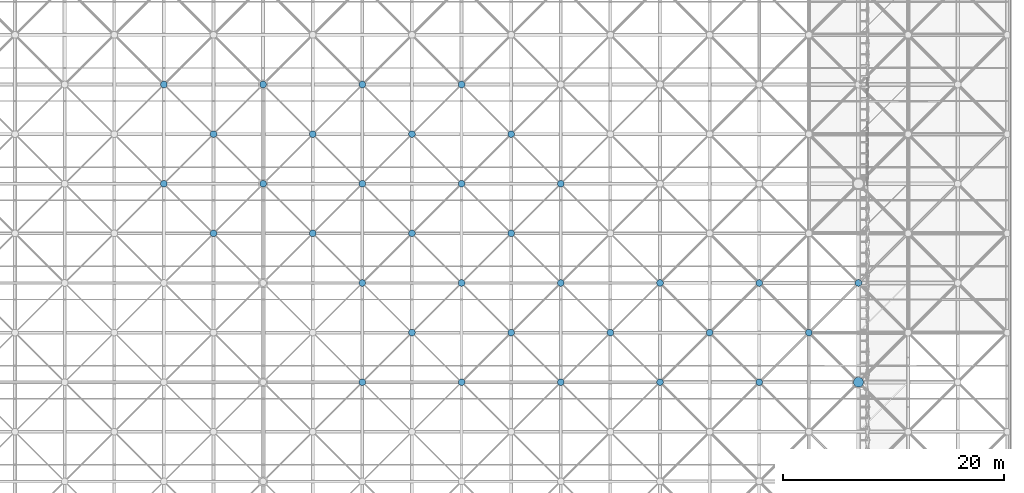
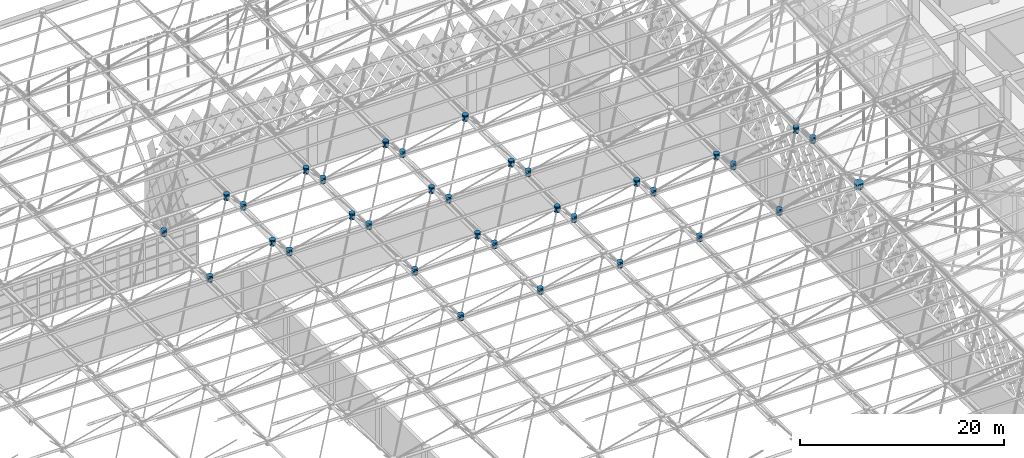
# One storey, part 313 of 437: 34 discrete accessories.
"""IFC4 building model written with IfcOpenShell, lengths in metres."""

from ifc_helpers import new_model, si_unit, direction, frame, origin, place, context, subcontext, project, spatial, polyline, outline, extrude, material, type_object, element, save


model = new_model("IFC4")

# Units and contexts
model_context = context("Model", 3, precision=1e-05, world=origin(), true_north=direction((0.0, 1.0)))
body_context = subcontext(model_context, "Body", "Model", "MODEL_VIEW")
ifc_project = project(units=[si_unit("LENGTHUNIT", "METRE"), si_unit("AREAUNIT", "SQUARE_METRE"), si_unit("VOLUMEUNIT", "CUBIC_METRE"), si_unit("PLANEANGLEUNIT", "RADIAN"), si_unit("MASSUNIT", "GRAM", prefix="KILO")], contexts=[model_context])

# Site, building, storey
site_placement = place(None, origin())
site = spatial("IfcSite", under=ifc_project, at=site_placement, CompositionType="ELEMENT")
building_placement = place(site_placement, origin())
building = spatial("IfcBuilding", under=site, at=building_placement, Name="Opaline Strait Convention Centre", CompositionType="ELEMENT")
storey_placement = place(building_placement, frame((0.0, 0.0, 11.5)))
storey = spatial("IfcBuildingStorey", under=building, at=storey_placement, Name="L02", CompositionType="ELEMENT", Elevation=11.5)

# Discrete accessories
ifc_material = material(Name="Cast steel ZG300-500H (300 MPa)", Category="steel")
discrete_accessory_type_1 = type_object("IfcDiscreteAccessoryType", Name="Space frame bearing node hub D900", PredefinedType="USERDEFINED", material=ifc_material)
discrete_accessory_1_placement = place(storey_placement, frame((0.0, 0.0, 12.139892578125)))
element("IfcDiscreteAccessory", 1, at=discrete_accessory_1_placement, inside=storey, type_object=discrete_accessory_type_1, Name="Bottom node 20/8", ObjectType="NODE HUB", PredefinedType="USERDEFINED", context=body_context, shape_type="SweptSolid", body=[
    extrude(outline(polyline([(261.449951171875, 108.089599609375), (261.381591796875, 108.2548828125), (261.2548828125, 108.381591796875), (261.089599609375, 108.449951171875), (260.910400390625, 108.449951171875), (260.7451171875, 108.381591796875), (260.618408203125, 108.2548828125), (260.550048828125, 108.089599609375), (260.550048828125, 107.910400390625), (260.618408203125, 107.7451171875), (260.7451171875, 107.618408203125), (260.910400390625, 107.550048828125), (261.089599609375, 107.550048828125), (261.2548828125, 107.618408203125), (261.381591796875, 107.7451171875), (261.449951171875, 107.910400390625), (261.449951171875, 108.089599609375)])), origin(), (0.0, 0.0, 1.0), 0.72021484375),
])
discrete_accessory_type_2 = type_object("IfcDiscreteAccessoryType", Name="Space frame node hub D600", PredefinedType="USERDEFINED", material=ifc_material)
discrete_accessory_2_placement = place(storey_placement, frame((0.0, 0.0, 17.611572265625)))
element("IfcDiscreteAccessory", 2, at=discrete_accessory_2_placement, inside=storey, type_object=discrete_accessory_type_2, Name="Top node 14/10", ObjectType="NODE HUB", PredefinedType="USERDEFINED", context=body_context, shape_type="SweptSolid", body=[
    extrude(outline(polyline([(202.800048828125, 121.559814453125), (202.75439453125, 121.669921875), (202.669921875, 121.75439453125), (202.559814453125, 121.800048828125), (202.440185546875, 121.800048828125), (202.330078125, 121.75439453125), (202.24560546875, 121.669921875), (202.199951171875, 121.559814453125), (202.199951171875, 121.440185546875), (202.24560546875, 121.330078125), (202.330078125, 121.24560546875), (202.440185546875, 121.199951171875), (202.559814453125, 121.199951171875), (202.669921875, 121.24560546875), (202.75439453125, 121.330078125), (202.800048828125, 121.440185546875), (202.800048828125, 121.559814453125)])), origin(), (0.0, 0.0, 1.0), 0.719970703125),
])
discrete_accessory_3_placement = place(storey_placement, frame((0.0, 0.0, 17.611572265625)))
element("IfcDiscreteAccessory", 3, at=discrete_accessory_3_placement, inside=storey, type_object=discrete_accessory_type_2, Name="Top node 14/11", ObjectType="NODE HUB", PredefinedType="USERDEFINED", context=body_context, shape_type="SweptSolid", body=[
    extrude(outline(polyline([(202.800048828125, 130.559814453125), (202.75439453125, 130.669921875), (202.669921875, 130.75439453125), (202.559814453125, 130.800048828125), (202.440185546875, 130.800048828125), (202.330078125, 130.75439453125), (202.24560546875, 130.669921875), (202.199951171875, 130.559814453125), (202.199951171875, 130.440185546875), (202.24560546875, 130.330078125), (202.330078125, 130.24560546875), (202.440185546875, 130.199951171875), (202.559814453125, 130.199951171875), (202.669921875, 130.24560546875), (202.75439453125, 130.330078125), (202.800048828125, 130.440185546875), (202.800048828125, 130.559814453125)])), origin(), (0.0, 0.0, 1.0), 0.719970703125),
])
discrete_accessory_4_placement = place(storey_placement, frame((0.0, 0.0, 17.611572265625)))
element("IfcDiscreteAccessory", 4, at=discrete_accessory_4_placement, inside=storey, type_object=discrete_accessory_type_2, Name="Top node 15/10", ObjectType="NODE HUB", PredefinedType="USERDEFINED", context=body_context, shape_type="SweptSolid", body=[
    extrude(outline(polyline([(211.800048828125, 121.559814453125), (211.75439453125, 121.669921875), (211.669921875, 121.75439453125), (211.559814453125, 121.800048828125), (211.440185546875, 121.800048828125), (211.330078125, 121.75439453125), (211.24560546875, 121.669921875), (211.199951171875, 121.559814453125), (211.199951171875, 121.440185546875), (211.24560546875, 121.330078125), (211.330078125, 121.24560546875), (211.440185546875, 121.199951171875), (211.559814453125, 121.199951171875), (211.669921875, 121.24560546875), (211.75439453125, 121.330078125), (211.800048828125, 121.440185546875), (211.800048828125, 121.559814453125)])), origin(), (0.0, 0.0, 1.0), 0.719970703125),
])
discrete_accessory_5_placement = place(storey_placement, frame((0.0, 0.0, 17.611572265625)))
element("IfcDiscreteAccessory", 5, at=discrete_accessory_5_placement, inside=storey, type_object=discrete_accessory_type_2, Name="Top node 15/11", ObjectType="NODE HUB", PredefinedType="USERDEFINED", context=body_context, shape_type="SweptSolid", body=[
    extrude(outline(polyline([(211.800048828125, 130.559814453125), (211.75439453125, 130.669921875), (211.669921875, 130.75439453125), (211.559814453125, 130.800048828125), (211.440185546875, 130.800048828125), (211.330078125, 130.75439453125), (211.24560546875, 130.669921875), (211.199951171875, 130.559814453125), (211.199951171875, 130.440185546875), (211.24560546875, 130.330078125), (211.330078125, 130.24560546875), (211.440185546875, 130.199951171875), (211.559814453125, 130.199951171875), (211.669921875, 130.24560546875), (211.75439453125, 130.330078125), (211.800048828125, 130.440185546875), (211.800048828125, 130.559814453125)])), origin(), (0.0, 0.0, 1.0), 0.719970703125),
])
discrete_accessory_6_placement = place(storey_placement, frame((0.0, 0.0, 17.611572265625)))
element("IfcDiscreteAccessory", 6, at=discrete_accessory_6_placement, inside=storey, type_object=discrete_accessory_type_2, Name="Top node 16/9", ObjectType="NODE HUB", PredefinedType="USERDEFINED", context=body_context, shape_type="SweptSolid", body=[
    extrude(outline(polyline([(220.800048828125, 112.559814453125), (220.75439453125, 112.669921875), (220.669921875, 112.75439453125), (220.559814453125, 112.800048828125), (220.440185546875, 112.800048828125), (220.330078125, 112.75439453125), (220.24560546875, 112.669921875), (220.199951171875, 112.559814453125), (220.199951171875, 112.440185546875), (220.24560546875, 112.330078125), (220.330078125, 112.24560546875), (220.440185546875, 112.199951171875), (220.559814453125, 112.199951171875), (220.669921875, 112.24560546875), (220.75439453125, 112.330078125), (220.800048828125, 112.440185546875), (220.800048828125, 112.559814453125)])), origin(), (0.0, 0.0, 1.0), 0.719970703125),
])
discrete_accessory_7_placement = place(storey_placement, frame((0.0, 0.0, 17.611572265625)))
element("IfcDiscreteAccessory", 7, at=discrete_accessory_7_placement, inside=storey, type_object=discrete_accessory_type_2, Name="Top node 16/10", ObjectType="NODE HUB", PredefinedType="USERDEFINED", context=body_context, shape_type="SweptSolid", body=[
    extrude(outline(polyline([(220.800048828125, 121.559814453125), (220.75439453125, 121.669921875), (220.669921875, 121.75439453125), (220.559814453125, 121.800048828125), (220.440185546875, 121.800048828125), (220.330078125, 121.75439453125), (220.24560546875, 121.669921875), (220.199951171875, 121.559814453125), (220.199951171875, 121.440185546875), (220.24560546875, 121.330078125), (220.330078125, 121.24560546875), (220.440185546875, 121.199951171875), (220.559814453125, 121.199951171875), (220.669921875, 121.24560546875), (220.75439453125, 121.330078125), (220.800048828125, 121.440185546875), (220.800048828125, 121.559814453125)])), origin(), (0.0, 0.0, 1.0), 0.719970703125),
])
discrete_accessory_8_placement = place(storey_placement, frame((0.0, 0.0, 17.611572265625)))
element("IfcDiscreteAccessory", 8, at=discrete_accessory_8_placement, inside=storey, type_object=discrete_accessory_type_2, Name="Top node 16/11", ObjectType="NODE HUB", PredefinedType="USERDEFINED", context=body_context, shape_type="SweptSolid", body=[
    extrude(outline(polyline([(220.800048828125, 130.559814453125), (220.75439453125, 130.669921875), (220.669921875, 130.75439453125), (220.559814453125, 130.800048828125), (220.440185546875, 130.800048828125), (220.330078125, 130.75439453125), (220.24560546875, 130.669921875), (220.199951171875, 130.559814453125), (220.199951171875, 130.440185546875), (220.24560546875, 130.330078125), (220.330078125, 130.24560546875), (220.440185546875, 130.199951171875), (220.559814453125, 130.199951171875), (220.669921875, 130.24560546875), (220.75439453125, 130.330078125), (220.800048828125, 130.440185546875), (220.800048828125, 130.559814453125)])), origin(), (0.0, 0.0, 1.0), 0.719970703125),
])
discrete_accessory_9_placement = place(storey_placement, frame((0.0, 0.0, 17.611572265625)))
element("IfcDiscreteAccessory", 9, at=discrete_accessory_9_placement, inside=storey, type_object=discrete_accessory_type_2, Name="Top node 17/9", ObjectType="NODE HUB", PredefinedType="USERDEFINED", context=body_context, shape_type="SweptSolid", body=[
    extrude(outline(polyline([(229.800048828125, 112.559814453125), (229.75439453125, 112.669921875), (229.669921875, 112.75439453125), (229.559814453125, 112.800048828125), (229.440185546875, 112.800048828125), (229.330078125, 112.75439453125), (229.24560546875, 112.669921875), (229.199951171875, 112.559814453125), (229.199951171875, 112.440185546875), (229.24560546875, 112.330078125), (229.330078125, 112.24560546875), (229.440185546875, 112.199951171875), (229.559814453125, 112.199951171875), (229.669921875, 112.24560546875), (229.75439453125, 112.330078125), (229.800048828125, 112.440185546875), (229.800048828125, 112.559814453125)])), origin(), (0.0, 0.0, 1.0), 0.719970703125),
])
discrete_accessory_10_placement = place(storey_placement, frame((0.0, 0.0, 17.611572265625)))
element("IfcDiscreteAccessory", 10, at=discrete_accessory_10_placement, inside=storey, type_object=discrete_accessory_type_2, Name="Top node 17/10", ObjectType="NODE HUB", PredefinedType="USERDEFINED", context=body_context, shape_type="SweptSolid", body=[
    extrude(outline(polyline([(229.800048828125, 121.559814453125), (229.75439453125, 121.669921875), (229.669921875, 121.75439453125), (229.559814453125, 121.800048828125), (229.440185546875, 121.800048828125), (229.330078125, 121.75439453125), (229.24560546875, 121.669921875), (229.199951171875, 121.559814453125), (229.199951171875, 121.440185546875), (229.24560546875, 121.330078125), (229.330078125, 121.24560546875), (229.440185546875, 121.199951171875), (229.559814453125, 121.199951171875), (229.669921875, 121.24560546875), (229.75439453125, 121.330078125), (229.800048828125, 121.440185546875), (229.800048828125, 121.559814453125)])), origin(), (0.0, 0.0, 1.0), 0.719970703125),
])
discrete_accessory_11_placement = place(storey_placement, frame((0.0, 0.0, 17.611572265625)))
element("IfcDiscreteAccessory", 11, at=discrete_accessory_11_placement, inside=storey, type_object=discrete_accessory_type_2, Name="Top node 17/11", ObjectType="NODE HUB", PredefinedType="USERDEFINED", context=body_context, shape_type="SweptSolid", body=[
    extrude(outline(polyline([(229.800048828125, 130.559814453125), (229.75439453125, 130.669921875), (229.669921875, 130.75439453125), (229.559814453125, 130.800048828125), (229.440185546875, 130.800048828125), (229.330078125, 130.75439453125), (229.24560546875, 130.669921875), (229.199951171875, 130.559814453125), (229.199951171875, 130.440185546875), (229.24560546875, 130.330078125), (229.330078125, 130.24560546875), (229.440185546875, 130.199951171875), (229.559814453125, 130.199951171875), (229.669921875, 130.24560546875), (229.75439453125, 130.330078125), (229.800048828125, 130.440185546875), (229.800048828125, 130.559814453125)])), origin(), (0.0, 0.0, 1.0), 0.719970703125),
])
discrete_accessory_12_placement = place(storey_placement, frame((0.0, 0.0, 17.611572265625)))
element("IfcDiscreteAccessory", 12, at=discrete_accessory_12_placement, inside=storey, type_object=discrete_accessory_type_2, Name="Top node 18/9", ObjectType="NODE HUB", PredefinedType="USERDEFINED", context=body_context, shape_type="SweptSolid", body=[
    extrude(outline(polyline([(238.800048828125, 112.559814453125), (238.75439453125, 112.669921875), (238.669921875, 112.75439453125), (238.559814453125, 112.800048828125), (238.440185546875, 112.800048828125), (238.330078125, 112.75439453125), (238.24560546875, 112.669921875), (238.199951171875, 112.559814453125), (238.199951171875, 112.440185546875), (238.24560546875, 112.330078125), (238.330078125, 112.24560546875), (238.440185546875, 112.199951171875), (238.559814453125, 112.199951171875), (238.669921875, 112.24560546875), (238.75439453125, 112.330078125), (238.800048828125, 112.440185546875), (238.800048828125, 112.559814453125)])), origin(), (0.0, 0.0, 1.0), 0.719970703125),
])
discrete_accessory_13_placement = place(storey_placement, frame((0.0, 0.0, 17.611572265625)))
element("IfcDiscreteAccessory", 13, at=discrete_accessory_13_placement, inside=storey, type_object=discrete_accessory_type_2, Name="Top node 19/9", ObjectType="NODE HUB", PredefinedType="USERDEFINED", context=body_context, shape_type="SweptSolid", body=[
    extrude(outline(polyline([(247.800048828125, 112.559814453125), (247.75439453125, 112.669921875), (247.669921875, 112.75439453125), (247.559814453125, 112.800048828125), (247.440185546875, 112.800048828125), (247.330078125, 112.75439453125), (247.24560546875, 112.669921875), (247.199951171875, 112.559814453125), (247.199951171875, 112.440185546875), (247.24560546875, 112.330078125), (247.330078125, 112.24560546875), (247.440185546875, 112.199951171875), (247.559814453125, 112.199951171875), (247.669921875, 112.24560546875), (247.75439453125, 112.330078125), (247.800048828125, 112.440185546875), (247.800048828125, 112.559814453125)])), origin(), (0.0, 0.0, 1.0), 0.719970703125),
])
discrete_accessory_14_placement = place(storey_placement, frame((0.0, 0.0, 17.611572265625)))
element("IfcDiscreteAccessory", 14, at=discrete_accessory_14_placement, inside=storey, type_object=discrete_accessory_type_2, Name="Top node 20/9", ObjectType="NODE HUB", PredefinedType="USERDEFINED", context=body_context, shape_type="SweptSolid", body=[
    extrude(outline(polyline([(256.800048828125, 112.559814453125), (256.75439453125, 112.669921875), (256.669921875, 112.75439453125), (256.559814453125, 112.800048828125), (256.440185546875, 112.800048828125), (256.330078125, 112.75439453125), (256.24560546875, 112.669921875), (256.199951171875, 112.559814453125), (256.199951171875, 112.440185546875), (256.24560546875, 112.330078125), (256.330078125, 112.24560546875), (256.440185546875, 112.199951171875), (256.559814453125, 112.199951171875), (256.669921875, 112.24560546875), (256.75439453125, 112.330078125), (256.800048828125, 112.440185546875), (256.800048828125, 112.559814453125)])), origin(), (0.0, 0.0, 1.0), 0.719970703125),
])
discrete_accessory_15_placement = place(storey_placement, frame((0.0, 0.0, 12.139892578125)))
element("IfcDiscreteAccessory", 15, at=discrete_accessory_15_placement, inside=storey, type_object=discrete_accessory_type_2, Name="Bottom node 13/10", ObjectType="NODE HUB", PredefinedType="USERDEFINED", context=body_context, shape_type="SweptSolid", body=[
    extrude(outline(polyline([(198.300048828125, 126.059814453125), (198.25439453125, 126.169921875), (198.169921875, 126.25439453125), (198.059814453125, 126.300048828125), (197.940185546875, 126.300048828125), (197.830078125, 126.25439453125), (197.74560546875, 126.169921875), (197.699951171875, 126.059814453125), (197.699951171875, 125.940185546875), (197.74560546875, 125.830078125), (197.830078125, 125.74560546875), (197.940185546875, 125.699951171875), (198.059814453125, 125.699951171875), (198.169921875, 125.74560546875), (198.25439453125, 125.830078125), (198.300048828125, 125.940185546875), (198.300048828125, 126.059814453125)])), origin(), (0.0, 0.0, 1.0), 0.72021484375),
])
discrete_accessory_16_placement = place(storey_placement, frame((0.0, 0.0, 12.139892578125)))
element("IfcDiscreteAccessory", 16, at=discrete_accessory_16_placement, inside=storey, type_object=discrete_accessory_type_2, Name="Bottom node 13/11", ObjectType="NODE HUB", PredefinedType="USERDEFINED", context=body_context, shape_type="SweptSolid", body=[
    extrude(outline(polyline([(198.300048828125, 135.059814453125), (198.25439453125, 135.169921875), (198.169921875, 135.25439453125), (198.059814453125, 135.300048828125), (197.940185546875, 135.300048828125), (197.830078125, 135.25439453125), (197.74560546875, 135.169921875), (197.699951171875, 135.059814453125), (197.699951171875, 134.940185546875), (197.74560546875, 134.830078125), (197.830078125, 134.74560546875), (197.940185546875, 134.699951171875), (198.059814453125, 134.699951171875), (198.169921875, 134.74560546875), (198.25439453125, 134.830078125), (198.300048828125, 134.940185546875), (198.300048828125, 135.059814453125)])), origin(), (0.0, 0.0, 1.0), 0.72021484375),
])
discrete_accessory_17_placement = place(storey_placement, frame((0.0, 0.0, 12.139892578125)))
element("IfcDiscreteAccessory", 17, at=discrete_accessory_17_placement, inside=storey, type_object=discrete_accessory_type_2, Name="Bottom node 14/10", ObjectType="NODE HUB", PredefinedType="USERDEFINED", context=body_context, shape_type="SweptSolid", body=[
    extrude(outline(polyline([(207.300048828125, 126.059814453125), (207.25439453125, 126.169921875), (207.169921875, 126.25439453125), (207.059814453125, 126.300048828125), (206.940185546875, 126.300048828125), (206.830078125, 126.25439453125), (206.74560546875, 126.169921875), (206.699951171875, 126.059814453125), (206.699951171875, 125.940185546875), (206.74560546875, 125.830078125), (206.830078125, 125.74560546875), (206.940185546875, 125.699951171875), (207.059814453125, 125.699951171875), (207.169921875, 125.74560546875), (207.25439453125, 125.830078125), (207.300048828125, 125.940185546875), (207.300048828125, 126.059814453125)])), origin(), (0.0, 0.0, 1.0), 0.72021484375),
])
discrete_accessory_18_placement = place(storey_placement, frame((0.0, 0.0, 12.139892578125)))
element("IfcDiscreteAccessory", 18, at=discrete_accessory_18_placement, inside=storey, type_object=discrete_accessory_type_2, Name="Bottom node 14/11", ObjectType="NODE HUB", PredefinedType="USERDEFINED", context=body_context, shape_type="SweptSolid", body=[
    extrude(outline(polyline([(207.300048828125, 135.059814453125), (207.25439453125, 135.169921875), (207.169921875, 135.25439453125), (207.059814453125, 135.300048828125), (206.940185546875, 135.300048828125), (206.830078125, 135.25439453125), (206.74560546875, 135.169921875), (206.699951171875, 135.059814453125), (206.699951171875, 134.940185546875), (206.74560546875, 134.830078125), (206.830078125, 134.74560546875), (206.940185546875, 134.699951171875), (207.059814453125, 134.699951171875), (207.169921875, 134.74560546875), (207.25439453125, 134.830078125), (207.300048828125, 134.940185546875), (207.300048828125, 135.059814453125)])), origin(), (0.0, 0.0, 1.0), 0.72021484375),
])
discrete_accessory_19_placement = place(storey_placement, frame((0.0, 0.0, 12.139892578125)))
element("IfcDiscreteAccessory", 19, at=discrete_accessory_19_placement, inside=storey, type_object=discrete_accessory_type_2, Name="Bottom node 15/8", ObjectType="NODE HUB", PredefinedType="USERDEFINED", context=body_context, shape_type="SweptSolid", body=[
    extrude(outline(polyline([(216.300048828125, 108.059814453125), (216.25439453125, 108.169921875), (216.169921875, 108.25439453125), (216.059814453125, 108.300048828125), (215.940185546875, 108.300048828125), (215.830078125, 108.25439453125), (215.74560546875, 108.169921875), (215.699951171875, 108.059814453125), (215.699951171875, 107.940185546875), (215.74560546875, 107.830078125), (215.830078125, 107.74560546875), (215.940185546875, 107.699951171875), (216.059814453125, 107.699951171875), (216.169921875, 107.74560546875), (216.25439453125, 107.830078125), (216.300048828125, 107.940185546875), (216.300048828125, 108.059814453125)])), origin(), (0.0, 0.0, 1.0), 0.72021484375),
])
discrete_accessory_20_placement = place(storey_placement, frame((0.0, 0.0, 12.139892578125)))
element("IfcDiscreteAccessory", 20, at=discrete_accessory_20_placement, inside=storey, type_object=discrete_accessory_type_2, Name="Bottom node 15/9", ObjectType="NODE HUB", PredefinedType="USERDEFINED", context=body_context, shape_type="SweptSolid", body=[
    extrude(outline(polyline([(216.300048828125, 117.059814453125), (216.25439453125, 117.169921875), (216.169921875, 117.25439453125), (216.059814453125, 117.300048828125), (215.940185546875, 117.300048828125), (215.830078125, 117.25439453125), (215.74560546875, 117.169921875), (215.699951171875, 117.059814453125), (215.699951171875, 116.940185546875), (215.74560546875, 116.830078125), (215.830078125, 116.74560546875), (215.940185546875, 116.699951171875), (216.059814453125, 116.699951171875), (216.169921875, 116.74560546875), (216.25439453125, 116.830078125), (216.300048828125, 116.940185546875), (216.300048828125, 117.059814453125)])), origin(), (0.0, 0.0, 1.0), 0.72021484375),
])
discrete_accessory_21_placement = place(storey_placement, frame((0.0, 0.0, 12.139892578125)))
element("IfcDiscreteAccessory", 21, at=discrete_accessory_21_placement, inside=storey, type_object=discrete_accessory_type_2, Name="Bottom node 15/10", ObjectType="NODE HUB", PredefinedType="USERDEFINED", context=body_context, shape_type="SweptSolid", body=[
    extrude(outline(polyline([(216.300048828125, 126.059814453125), (216.25439453125, 126.169921875), (216.169921875, 126.25439453125), (216.059814453125, 126.300048828125), (215.940185546875, 126.300048828125), (215.830078125, 126.25439453125), (215.74560546875, 126.169921875), (215.699951171875, 126.059814453125), (215.699951171875, 125.940185546875), (215.74560546875, 125.830078125), (215.830078125, 125.74560546875), (215.940185546875, 125.699951171875), (216.059814453125, 125.699951171875), (216.169921875, 125.74560546875), (216.25439453125, 125.830078125), (216.300048828125, 125.940185546875), (216.300048828125, 126.059814453125)])), origin(), (0.0, 0.0, 1.0), 0.72021484375),
])
discrete_accessory_22_placement = place(storey_placement, frame((0.0, 0.0, 12.139892578125)))
element("IfcDiscreteAccessory", 22, at=discrete_accessory_22_placement, inside=storey, type_object=discrete_accessory_type_2, Name="Bottom node 15/11", ObjectType="NODE HUB", PredefinedType="USERDEFINED", context=body_context, shape_type="SweptSolid", body=[
    extrude(outline(polyline([(216.300048828125, 135.059814453125), (216.25439453125, 135.169921875), (216.169921875, 135.25439453125), (216.059814453125, 135.300048828125), (215.940185546875, 135.300048828125), (215.830078125, 135.25439453125), (215.74560546875, 135.169921875), (215.699951171875, 135.059814453125), (215.699951171875, 134.940185546875), (215.74560546875, 134.830078125), (215.830078125, 134.74560546875), (215.940185546875, 134.699951171875), (216.059814453125, 134.699951171875), (216.169921875, 134.74560546875), (216.25439453125, 134.830078125), (216.300048828125, 134.940185546875), (216.300048828125, 135.059814453125)])), origin(), (0.0, 0.0, 1.0), 0.72021484375),
])
discrete_accessory_23_placement = place(storey_placement, frame((0.0, 0.0, 12.139892578125)))
element("IfcDiscreteAccessory", 23, at=discrete_accessory_23_placement, inside=storey, type_object=discrete_accessory_type_2, Name="Bottom node 16/8", ObjectType="NODE HUB", PredefinedType="USERDEFINED", context=body_context, shape_type="SweptSolid", body=[
    extrude(outline(polyline([(225.300048828125, 108.059814453125), (225.25439453125, 108.169921875), (225.169921875, 108.25439453125), (225.059814453125, 108.300048828125), (224.940185546875, 108.300048828125), (224.830078125, 108.25439453125), (224.74560546875, 108.169921875), (224.699951171875, 108.059814453125), (224.699951171875, 107.940185546875), (224.74560546875, 107.830078125), (224.830078125, 107.74560546875), (224.940185546875, 107.699951171875), (225.059814453125, 107.699951171875), (225.169921875, 107.74560546875), (225.25439453125, 107.830078125), (225.300048828125, 107.940185546875), (225.300048828125, 108.059814453125)])), origin(), (0.0, 0.0, 1.0), 0.72021484375),
])
discrete_accessory_24_placement = place(storey_placement, frame((0.0, 0.0, 12.139892578125)))
element("IfcDiscreteAccessory", 24, at=discrete_accessory_24_placement, inside=storey, type_object=discrete_accessory_type_2, Name="Bottom node 16/9", ObjectType="NODE HUB", PredefinedType="USERDEFINED", context=body_context, shape_type="SweptSolid", body=[
    extrude(outline(polyline([(225.300048828125, 117.059814453125), (225.25439453125, 117.169921875), (225.169921875, 117.25439453125), (225.059814453125, 117.300048828125), (224.940185546875, 117.300048828125), (224.830078125, 117.25439453125), (224.74560546875, 117.169921875), (224.699951171875, 117.059814453125), (224.699951171875, 116.940185546875), (224.74560546875, 116.830078125), (224.830078125, 116.74560546875), (224.940185546875, 116.699951171875), (225.059814453125, 116.699951171875), (225.169921875, 116.74560546875), (225.25439453125, 116.830078125), (225.300048828125, 116.940185546875), (225.300048828125, 117.059814453125)])), origin(), (0.0, 0.0, 1.0), 0.72021484375),
])
discrete_accessory_25_placement = place(storey_placement, frame((0.0, 0.0, 12.139892578125)))
element("IfcDiscreteAccessory", 25, at=discrete_accessory_25_placement, inside=storey, type_object=discrete_accessory_type_2, Name="Bottom node 16/10", ObjectType="NODE HUB", PredefinedType="USERDEFINED", context=body_context, shape_type="SweptSolid", body=[
    extrude(outline(polyline([(225.300048828125, 126.059814453125), (225.25439453125, 126.169921875), (225.169921875, 126.25439453125), (225.059814453125, 126.300048828125), (224.940185546875, 126.300048828125), (224.830078125, 126.25439453125), (224.74560546875, 126.169921875), (224.699951171875, 126.059814453125), (224.699951171875, 125.940185546875), (224.74560546875, 125.830078125), (224.830078125, 125.74560546875), (224.940185546875, 125.699951171875), (225.059814453125, 125.699951171875), (225.169921875, 125.74560546875), (225.25439453125, 125.830078125), (225.300048828125, 125.940185546875), (225.300048828125, 126.059814453125)])), origin(), (0.0, 0.0, 1.0), 0.72021484375),
])
discrete_accessory_26_placement = place(storey_placement, frame((0.0, 0.0, 12.139892578125)))
element("IfcDiscreteAccessory", 26, at=discrete_accessory_26_placement, inside=storey, type_object=discrete_accessory_type_2, Name="Bottom node 16/11", ObjectType="NODE HUB", PredefinedType="USERDEFINED", context=body_context, shape_type="SweptSolid", body=[
    extrude(outline(polyline([(225.300048828125, 135.059814453125), (225.25439453125, 135.169921875), (225.169921875, 135.25439453125), (225.059814453125, 135.300048828125), (224.940185546875, 135.300048828125), (224.830078125, 135.25439453125), (224.74560546875, 135.169921875), (224.699951171875, 135.059814453125), (224.699951171875, 134.940185546875), (224.74560546875, 134.830078125), (224.830078125, 134.74560546875), (224.940185546875, 134.699951171875), (225.059814453125, 134.699951171875), (225.169921875, 134.74560546875), (225.25439453125, 134.830078125), (225.300048828125, 134.940185546875), (225.300048828125, 135.059814453125)])), origin(), (0.0, 0.0, 1.0), 0.72021484375),
])
discrete_accessory_27_placement = place(storey_placement, frame((0.0, 0.0, 12.139892578125)))
element("IfcDiscreteAccessory", 27, at=discrete_accessory_27_placement, inside=storey, type_object=discrete_accessory_type_2, Name="Bottom node 17/8", ObjectType="NODE HUB", PredefinedType="USERDEFINED", context=body_context, shape_type="SweptSolid", body=[
    extrude(outline(polyline([(234.300048828125, 108.059814453125), (234.25439453125, 108.169921875), (234.169921875, 108.25439453125), (234.059814453125, 108.300048828125), (233.940185546875, 108.300048828125), (233.830078125, 108.25439453125), (233.74560546875, 108.169921875), (233.699951171875, 108.059814453125), (233.699951171875, 107.940185546875), (233.74560546875, 107.830078125), (233.830078125, 107.74560546875), (233.940185546875, 107.699951171875), (234.059814453125, 107.699951171875), (234.169921875, 107.74560546875), (234.25439453125, 107.830078125), (234.300048828125, 107.940185546875), (234.300048828125, 108.059814453125)])), origin(), (0.0, 0.0, 1.0), 0.72021484375),
])
discrete_accessory_28_placement = place(storey_placement, frame((0.0, 0.0, 12.139892578125)))
element("IfcDiscreteAccessory", 28, at=discrete_accessory_28_placement, inside=storey, type_object=discrete_accessory_type_2, Name="Bottom node 17/9", ObjectType="NODE HUB", PredefinedType="USERDEFINED", context=body_context, shape_type="SweptSolid", body=[
    extrude(outline(polyline([(234.300048828125, 117.059814453125), (234.25439453125, 117.169921875), (234.169921875, 117.25439453125), (234.059814453125, 117.300048828125), (233.940185546875, 117.300048828125), (233.830078125, 117.25439453125), (233.74560546875, 117.169921875), (233.699951171875, 117.059814453125), (233.699951171875, 116.940185546875), (233.74560546875, 116.830078125), (233.830078125, 116.74560546875), (233.940185546875, 116.699951171875), (234.059814453125, 116.699951171875), (234.169921875, 116.74560546875), (234.25439453125, 116.830078125), (234.300048828125, 116.940185546875), (234.300048828125, 117.059814453125)])), origin(), (0.0, 0.0, 1.0), 0.72021484375),
])
discrete_accessory_29_placement = place(storey_placement, frame((0.0, 0.0, 12.139892578125)))
element("IfcDiscreteAccessory", 29, at=discrete_accessory_29_placement, inside=storey, type_object=discrete_accessory_type_2, Name="Bottom node 17/10", ObjectType="NODE HUB", PredefinedType="USERDEFINED", context=body_context, shape_type="SweptSolid", body=[
    extrude(outline(polyline([(234.300048828125, 126.059814453125), (234.25439453125, 126.169921875), (234.169921875, 126.25439453125), (234.059814453125, 126.300048828125), (233.940185546875, 126.300048828125), (233.830078125, 126.25439453125), (233.74560546875, 126.169921875), (233.699951171875, 126.059814453125), (233.699951171875, 125.940185546875), (233.74560546875, 125.830078125), (233.830078125, 125.74560546875), (233.940185546875, 125.699951171875), (234.059814453125, 125.699951171875), (234.169921875, 125.74560546875), (234.25439453125, 125.830078125), (234.300048828125, 125.940185546875), (234.300048828125, 126.059814453125)])), origin(), (0.0, 0.0, 1.0), 0.72021484375),
])
discrete_accessory_30_placement = place(storey_placement, frame((0.0, 0.0, 12.139892578125)))
element("IfcDiscreteAccessory", 30, at=discrete_accessory_30_placement, inside=storey, type_object=discrete_accessory_type_2, Name="Bottom node 18/8", ObjectType="NODE HUB", PredefinedType="USERDEFINED", context=body_context, shape_type="SweptSolid", body=[
    extrude(outline(polyline([(243.300048828125, 108.059814453125), (243.25439453125, 108.169921875), (243.169921875, 108.25439453125), (243.059814453125, 108.300048828125), (242.940185546875, 108.300048828125), (242.830078125, 108.25439453125), (242.74560546875, 108.169921875), (242.699951171875, 108.059814453125), (242.699951171875, 107.940185546875), (242.74560546875, 107.830078125), (242.830078125, 107.74560546875), (242.940185546875, 107.699951171875), (243.059814453125, 107.699951171875), (243.169921875, 107.74560546875), (243.25439453125, 107.830078125), (243.300048828125, 107.940185546875), (243.300048828125, 108.059814453125)])), origin(), (0.0, 0.0, 1.0), 0.72021484375),
])
discrete_accessory_31_placement = place(storey_placement, frame((0.0, 0.0, 12.139892578125)))
element("IfcDiscreteAccessory", 31, at=discrete_accessory_31_placement, inside=storey, type_object=discrete_accessory_type_2, Name="Bottom node 18/9", ObjectType="NODE HUB", PredefinedType="USERDEFINED", context=body_context, shape_type="SweptSolid", body=[
    extrude(outline(polyline([(243.300048828125, 117.059814453125), (243.25439453125, 117.169921875), (243.169921875, 117.25439453125), (243.059814453125, 117.300048828125), (242.940185546875, 117.300048828125), (242.830078125, 117.25439453125), (242.74560546875, 117.169921875), (242.699951171875, 117.059814453125), (242.699951171875, 116.940185546875), (242.74560546875, 116.830078125), (242.830078125, 116.74560546875), (242.940185546875, 116.699951171875), (243.059814453125, 116.699951171875), (243.169921875, 116.74560546875), (243.25439453125, 116.830078125), (243.300048828125, 116.940185546875), (243.300048828125, 117.059814453125)])), origin(), (0.0, 0.0, 1.0), 0.72021484375),
])
discrete_accessory_32_placement = place(storey_placement, frame((0.0, 0.0, 12.139892578125)))
element("IfcDiscreteAccessory", 32, at=discrete_accessory_32_placement, inside=storey, type_object=discrete_accessory_type_2, Name="Bottom node 19/8", ObjectType="NODE HUB", PredefinedType="USERDEFINED", context=body_context, shape_type="SweptSolid", body=[
    extrude(outline(polyline([(252.300048828125, 108.059814453125), (252.25439453125, 108.169921875), (252.169921875, 108.25439453125), (252.059814453125, 108.300048828125), (251.940185546875, 108.300048828125), (251.830078125, 108.25439453125), (251.74560546875, 108.169921875), (251.699951171875, 108.059814453125), (251.699951171875, 107.940185546875), (251.74560546875, 107.830078125), (251.830078125, 107.74560546875), (251.940185546875, 107.699951171875), (252.059814453125, 107.699951171875), (252.169921875, 107.74560546875), (252.25439453125, 107.830078125), (252.300048828125, 107.940185546875), (252.300048828125, 108.059814453125)])), origin(), (0.0, 0.0, 1.0), 0.72021484375),
])
discrete_accessory_33_placement = place(storey_placement, frame((0.0, 0.0, 12.139892578125)))
element("IfcDiscreteAccessory", 33, at=discrete_accessory_33_placement, inside=storey, type_object=discrete_accessory_type_2, Name="Bottom node 19/9", ObjectType="NODE HUB", PredefinedType="USERDEFINED", context=body_context, shape_type="SweptSolid", body=[
    extrude(outline(polyline([(252.300048828125, 117.059814453125), (252.25439453125, 117.169921875), (252.169921875, 117.25439453125), (252.059814453125, 117.300048828125), (251.940185546875, 117.300048828125), (251.830078125, 117.25439453125), (251.74560546875, 117.169921875), (251.699951171875, 117.059814453125), (251.699951171875, 116.940185546875), (251.74560546875, 116.830078125), (251.830078125, 116.74560546875), (251.940185546875, 116.699951171875), (252.059814453125, 116.699951171875), (252.169921875, 116.74560546875), (252.25439453125, 116.830078125), (252.300048828125, 116.940185546875), (252.300048828125, 117.059814453125)])), origin(), (0.0, 0.0, 1.0), 0.72021484375),
])
discrete_accessory_34_placement = place(storey_placement, frame((0.0, 0.0, 12.139892578125)))
element("IfcDiscreteAccessory", 34, at=discrete_accessory_34_placement, inside=storey, type_object=discrete_accessory_type_2, Name="Bottom node 20/9", ObjectType="NODE HUB", PredefinedType="USERDEFINED", context=body_context, shape_type="SweptSolid", body=[
    extrude(outline(polyline([(261.300048828125, 117.059814453125), (261.25439453125, 117.169921875), (261.169921875, 117.25439453125), (261.059814453125, 117.300048828125), (260.940185546875, 117.300048828125), (260.830078125, 117.25439453125), (260.74560546875, 117.169921875), (260.699951171875, 117.059814453125), (260.699951171875, 116.940185546875), (260.74560546875, 116.830078125), (260.830078125, 116.74560546875), (260.940185546875, 116.699951171875), (261.059814453125, 116.699951171875), (261.169921875, 116.74560546875), (261.25439453125, 116.830078125), (261.300048828125, 116.940185546875), (261.300048828125, 117.059814453125)])), origin(), (0.0, 0.0, 1.0), 0.72021484375),
])

save(model, "model.ifc")
